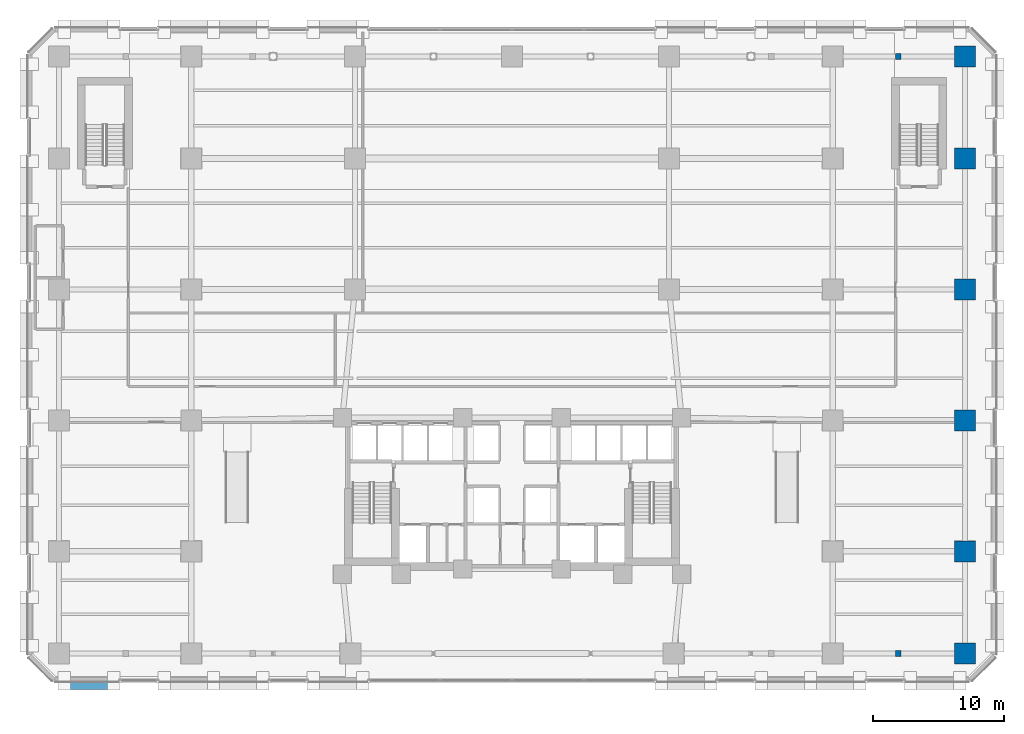
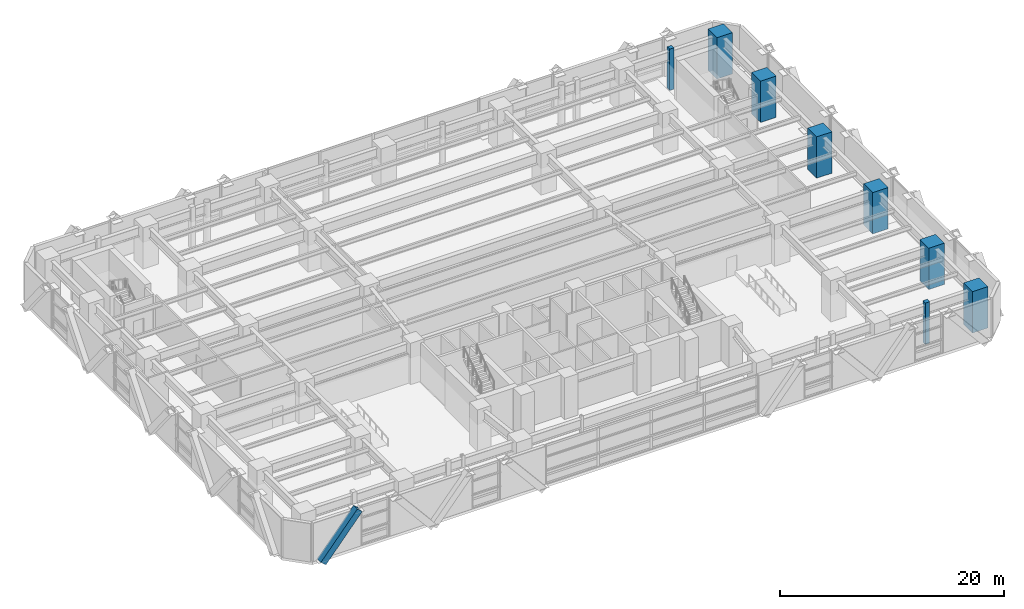
# One storey, part 5 of 26: 8 columns, 1 member.
"""IFC4 building model written with IfcOpenShell, lengths in metres."""

from ifc_helpers import new_model, si_unit, direction, frame, origin, origin_2d, place, context, subcontext, project, spatial, rectangle, hollow_rectangle, extrude, material, material_profile, profile_set, type_object, element, save


model = new_model("IFC4")

# Units and contexts
model_context = context("Model", 3, precision=1e-05, world=origin(), true_north=direction((0.0, 1.0)))
body_context = subcontext(model_context, "Body", "Model", "MODEL_VIEW")
ifc_project = project(units=[si_unit("LENGTHUNIT", "METRE"), si_unit("AREAUNIT", "SQUARE_METRE"), si_unit("VOLUMEUNIT", "CUBIC_METRE"), si_unit("PLANEANGLEUNIT", "RADIAN"), si_unit("MASSUNIT", "GRAM", prefix="KILO")], contexts=[model_context])

# Site, building, storey
site_placement = place(None, origin())
site = spatial("IfcSite", under=ifc_project, at=site_placement, CompositionType="ELEMENT")
building_placement = place(site_placement, origin())
building = spatial("IfcBuilding", under=site, at=building_placement, Name="Quenlor Broadcast Tower", CompositionType="ELEMENT")
storey_placement = place(building_placement, frame((0.0, 0.0, 5.0)))
storey = spatial("IfcBuildingStorey", under=building, at=storey_placement, Name="L01", CompositionType="ELEMENT", Elevation=5.0)

# Columns
ifc_material_1 = material(Name="Concrete C40/50", Category="concrete")
ifc_material_profile_1 = material_profile(ifc_material_1, rectangle(XDim=0.449951171875, YDim=0.449951171875, at=origin_2d()))
ifc_profile_set_1 = profile_set([ifc_material_profile_1], Name="Concrete C40/50 PIL450x450")
column_type_1 = type_object("IfcColumnType", Name="Podium Gallery Pilaster Concrete C40/50 450", PredefinedType="PILASTER", material=ifc_profile_set_1)
for number, where, z_axis, x_axis, name in (
    (1, (29.5, -22.800048828125, 0.0), (0.0, 0.0, 1.0), (1.0, 0.0, 0.0), "L01 Colonnade Pilaster S4"),
    (2, (29.5, 22.800048828125, 0.0), (0.0, 0.0, 1.0), (1.0, 0.0, 0.0), "L01 Colonnade Pilaster N4"),
):
    element("IfcColumn", number, at=place(storey_placement, frame(where, z_axis=z_axis, x_axis=x_axis)), inside=storey, type_object=column_type_1, Name=name, PredefinedType="PILASTER", context=body_context, shape_type="SweptSolid", body=[
        extrude(rectangle(XDim=0.449951171875, YDim=0.449951171875, at=origin_2d()), origin(), (0.0, 0.0, 1.0), 4.5),
    ])
ifc_material_2 = material(Name="Concrete C65/80", Category="concrete")
ifc_material_profile_2 = material_profile(ifc_material_2, rectangle(XDim=1.60009765625, YDim=1.60009765625, at=origin_2d()))
ifc_profile_set_2 = profile_set([ifc_material_profile_2], Name="Concrete C65/80 RC1600x1600")
column_type_2 = type_object("IfcColumnType", Name="Podium Mega Column Concrete C65/80 1600", PredefinedType="COLUMN", material=ifc_profile_set_2)
for number, where, z_axis, x_axis, name in (
    (3, (34.60009765625, -22.800048828125, 0.0), (0.0, 0.0, 1.0), (1.0, 0.0, 0.0), "L01 Podium Mega Column PM6"),
    (4, (34.60009765625, -15.0, 0.0), (0.0, 0.0, 1.0), (1.0, 0.0, 0.0), "L01 Podium Mega Column PM10"),
    (5, (34.60009765625, -5.0, 0.0), (0.0, 0.0, 1.0), (1.0, 0.0, 0.0), "L01 Podium Mega Column PM14"),
    (6, (34.60009765625, 5.0, 0.0), (0.0, 0.0, 1.0), (1.0, 0.0, 0.0), "L01 Podium Mega Column PM20"),
    (7, (34.60009765625, 15.0, 0.0), (0.0, 0.0, 1.0), (1.0, 0.0, 0.0), "L01 Podium Mega Column PM26"),
    (8, (34.60009765625, 22.800048828125, 0.0), (0.0, 0.0, 1.0), (1.0, 0.0, 0.0), "L01 Podium Mega Column PM33"),
):
    element("IfcColumn", number, at=place(storey_placement, frame(where, z_axis=z_axis, x_axis=x_axis)), inside=storey, type_object=column_type_2, Name=name, PredefinedType="COLUMN", context=body_context, shape_type="SweptSolid", body=[
        extrude(rectangle(XDim=1.60009765625, YDim=1.60009765625, at=origin_2d()), origin(), (0.0, 0.0, 1.0), 4.5),
    ])

# Member
ifc_material_3 = material(Name="Steel S355", Category="steel")
ifc_material_profile_3 = material_profile(ifc_material_3, hollow_rectangle(XDim=0.679931640625, YDim=0.679931640625, WallThickness=0.034912109375, at=origin_2d()))
ifc_profile_set_3 = profile_set([ifc_material_profile_3], Name="Steel S355 RHS680x680x35")
member_type = type_object("IfcMemberType", Name="Perimeter Diagonal Lattice Brace Z1 Steel S355 RHS680x35", PredefinedType="BRACE", material=ifc_profile_set_3)
member_placement = place(storey_placement, frame((-34.17724609375, -25.215087890625, -0.1201171875), z_axis=(0.640626831312, 0.0, 0.767852370578), x_axis=(0.0, 1.0, 0.0)))
element("IfcMember", 9, at=member_placement, inside=storey, type_object=member_type, Name="L01 Podium Diamond Lattice S-P6B", PredefinedType="BRACE", context=body_context, shape_type="SweptSolid", body=[
    extrude(hollow_rectangle(XDim=0.679931640625, YDim=0.679931640625, WallThickness=0.034912109375, at=origin_2d()), origin(), (0.0, 0.0, 1.0), 5.860595703125),
])

save(model, "model.ifc")
